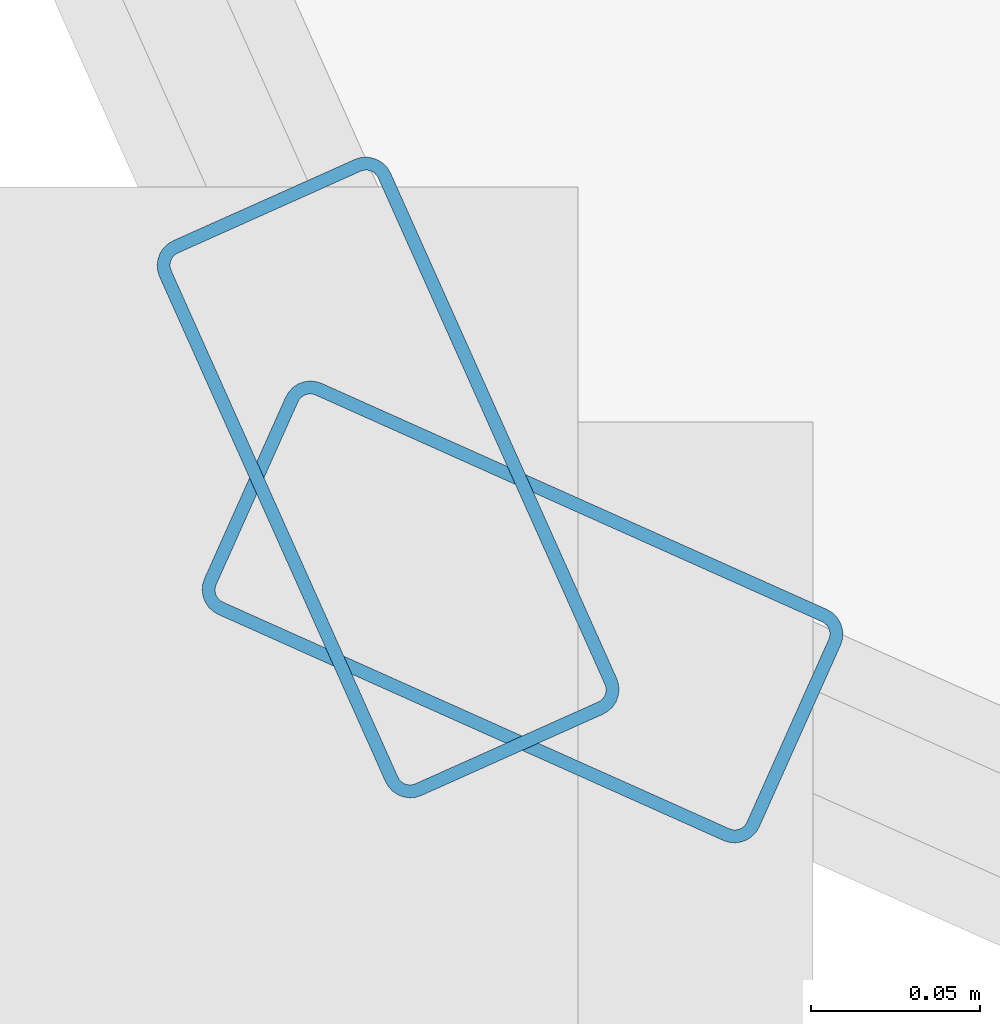
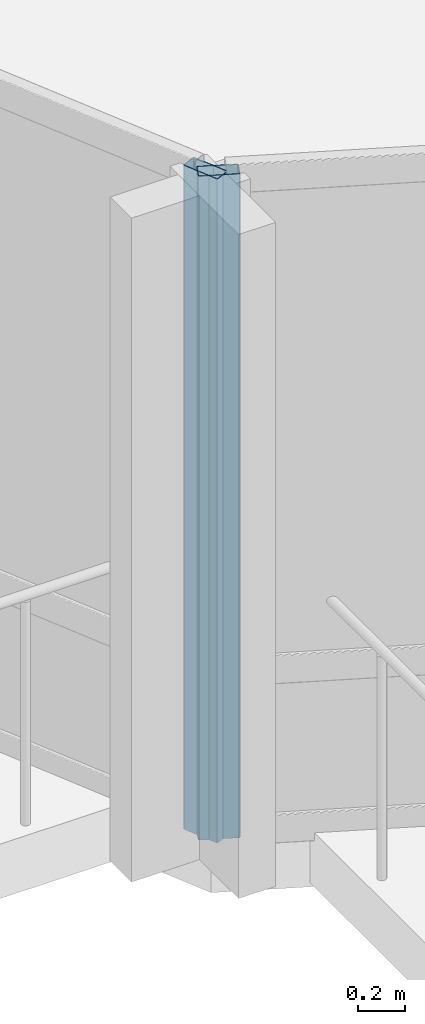
# One storey, part 2 of 19: 2 members, 2 elements without a shape of their own.
"""IFC4 building model written with IfcOpenShell, lengths in metres."""

from ifc_helpers import new_model, si_unit, direction, frame, origin, origin_2d, place, context, subcontext, project, spatial, hollow_rectangle, extrude, material, layer, layer_set, material_profile, profile_set, type_object, element, aggregate, save


model = new_model("IFC4")

# Units and contexts
model_context = context("Model", 3, precision=1e-05, world=origin(), true_north=direction((0.0, 1.0)))
body_context = subcontext(model_context, "Body", "Model", "MODEL_VIEW")
ifc_project = project(units=[si_unit("LENGTHUNIT", "METRE"), si_unit("AREAUNIT", "SQUARE_METRE"), si_unit("VOLUMEUNIT", "CUBIC_METRE"), si_unit("PLANEANGLEUNIT", "RADIAN"), si_unit("MASSUNIT", "GRAM", prefix="KILO")], contexts=[model_context])

# Site, building, storey
site_placement = place(None, origin())
site = spatial("IfcSite", under=ifc_project, at=site_placement, CompositionType="ELEMENT")
building_placement = place(site_placement, origin())
building = spatial("IfcBuilding", under=site, at=building_placement, Name="Solvaryn Broadcast Tower", CompositionType="ELEMENT")
storey_placement = place(building_placement, frame((0.0, 0.0, 255.60009765625)))
storey = spatial("IfcBuildingStorey", under=building, at=storey_placement, Name="L64", CompositionType="ELEMENT", Elevation=255.60009765625)

# Curtain wall, member
ifc_material_1 = material(Name="Aluminium and Terracotta Unitised Curtain Wall", Category="masonry")
ifc_layer_1 = layer(ifc_material_1, 0.239990234375)
ifc_layer_set_1 = layer_set([ifc_layer_1], Name="CW-SYS3-BAYBOX")
curtain_wall_type_1 = type_object("IfcCurtainWallType", Name="CW-SYS3-BAYBOX", PredefinedType="NOTDEFINED", material=ifc_layer_set_1)
curtain_wall_1_placement = place(storey_placement, origin())
curtain_wall_1 = element("IfcCurtainWall", 1, at=curtain_wall_1_placement, inside=storey, type_object=curtain_wall_type_1, Name="L64 Curtain Wall DR2", PredefinedType="NOTDEFINED")
ifc_material_2 = material(Name="Anodised Aluminium 6063-T6", Category="aluminium")
ifc_material_profile = material_profile(ifc_material_2, hollow_rectangle(XDim=0.074951171875, YDim=0.179931640625, WallThickness=0.00390625, InnerFilletRadius=0.00390625, OuterFilletRadius=0.008056640625, at=origin_2d()))
ifc_profile_set = profile_set([ifc_material_profile], Name="Anodised Aluminium 6063-T6")
member_type = type_object("IfcMemberType", Name="CW-MUL-180", PredefinedType="MULLION", material=ifc_profile_set)
member_1_placement = place(storey_placement, frame((10.8046875, 10.844482421875, 0.0), z_axis=(0.0, 0.0, 1.0), x_axis=(0.912773530574, 0.408466010682, 0.0)))
member_1 = element("IfcMember", 2, at=member_1_placement, type_object=member_type, Name="CWS3 mullion 2", PredefinedType="MULLION", context=body_context, shape_type="SweptSolid", body=[
    extrude(hollow_rectangle(XDim=0.074951171875, YDim=0.179931640625, WallThickness=0.00390625, InnerFilletRadius=0.00390625, OuterFilletRadius=0.008056640625, at=origin_2d()), origin(), (0.0, 0.0, 1.0), 3.419921875),
])
aggregate(curtain_wall_1, [member_1])

ifc_material_3 = material(Name="Aluminium and Terracotta Unitised Curtain Wall", Category="masonry")
ifc_layer_2 = layer(ifc_material_3, 0.199951171875)
ifc_layer_set_2 = layer_set([ifc_layer_2], Name="CW-SYS2-LOWMID")
curtain_wall_type_2 = type_object("IfcCurtainWallType", Name="CW-SYS2-LOWMID", PredefinedType="NOTDEFINED", material=ifc_layer_set_2)
curtain_wall_2_placement = place(storey_placement, origin())
curtain_wall_2 = element("IfcCurtainWall", 3, at=curtain_wall_2_placement, inside=storey, type_object=curtain_wall_type_2, Name="L64 Curtain Wall DR3", PredefinedType="NOTDEFINED")
member_2_placement = place(storey_placement, frame((10.844482421875, 10.8046875, 0.0), z_axis=(0.0, 0.0, 1.0), x_axis=(0.408466010682, 0.912773530574, 0.0)))
member_2 = element("IfcMember", 4, at=member_2_placement, type_object=member_type, Name="CWS2 mullion 1", PredefinedType="MULLION", context=body_context, shape_type="SweptSolid", body=[
    extrude(hollow_rectangle(XDim=0.074951171875, YDim=0.179931640625, WallThickness=0.00390625, InnerFilletRadius=0.00390625, OuterFilletRadius=0.008056640625, at=origin_2d()), origin(), (0.0, 0.0, 1.0), 3.419921875),
])
aggregate(curtain_wall_2, [member_2])

save(model, "model.ifc")
